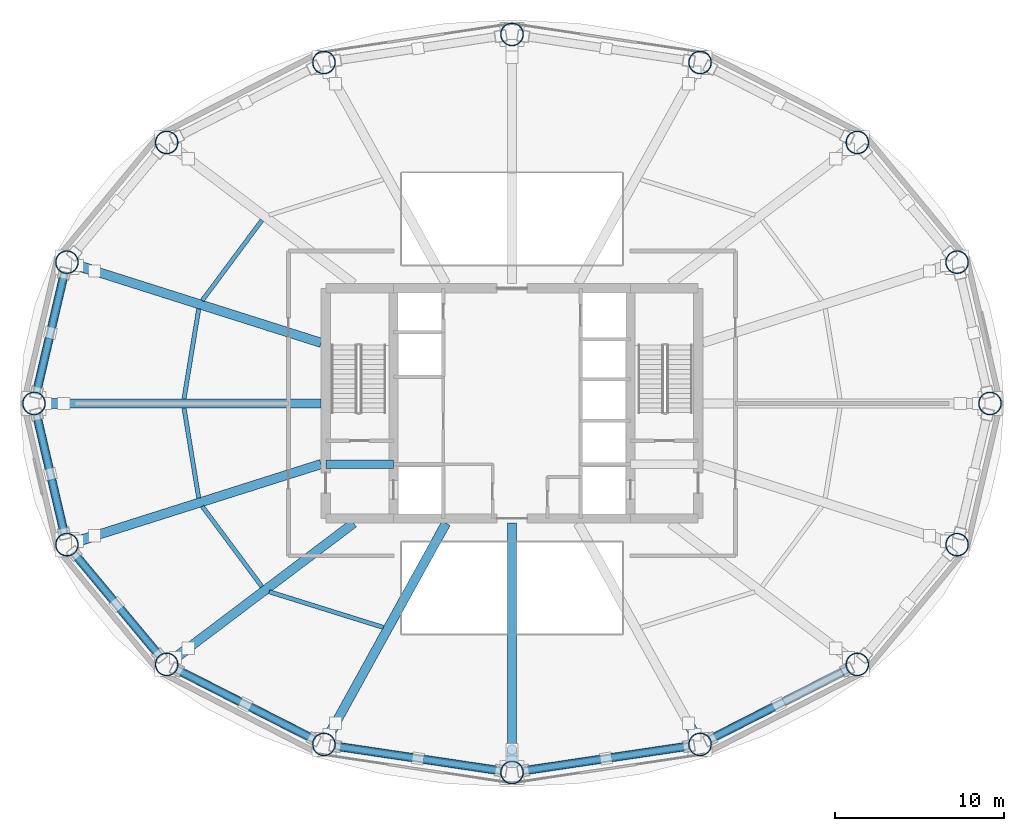
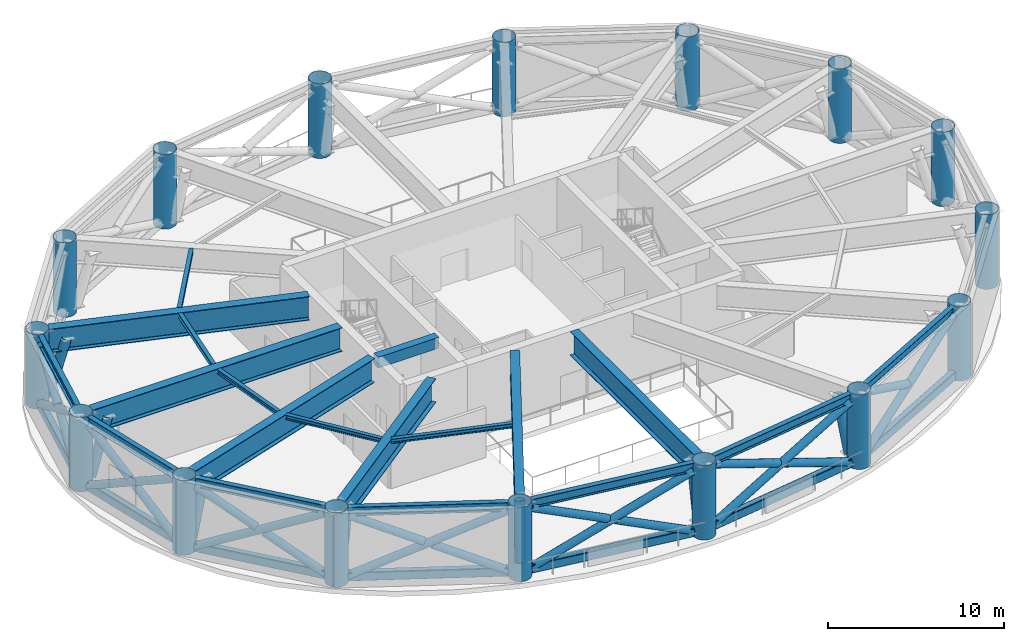
# One storey, part 1 of 8: 34 members, 19 beams, 16 columns.
"""IFC4 building model written with IfcOpenShell, lengths in metres."""

from ifc_helpers import new_model, si_unit, direction, frame, origin, origin_2d, place, context, subcontext, project, spatial, rectangle, hollow_rectangle, hollow_circle, i_section, extrude, material, material_profile, profile_set, type_object, element, save


model = new_model("IFC4")

# Units and contexts
model_context = context("Model", 3, precision=1e-05, world=origin(), true_north=direction((0.0, 1.0)))
body_context = subcontext(model_context, "Body", "Model", "MODEL_VIEW")
ifc_project = project(units=[si_unit("LENGTHUNIT", "METRE"), si_unit("AREAUNIT", "SQUARE_METRE"), si_unit("VOLUMEUNIT", "CUBIC_METRE"), si_unit("PLANEANGLEUNIT", "RADIAN"), si_unit("MASSUNIT", "GRAM", prefix="KILO")], contexts=[model_context])

# Site, building, storey
site_placement = place(None, origin())
site = spatial("IfcSite", under=ifc_project, at=site_placement, CompositionType="ELEMENT")
building_placement = place(site_placement, origin())
building = spatial("IfcBuilding", under=site, at=building_placement, Name="Sarneth Arch Tower", CompositionType="ELEMENT")
storey_placement = place(building_placement, frame((0.0, 0.0, 145.199951171875)))
storey = spatial("IfcBuildingStorey", under=building, at=storey_placement, Name="L36", CompositionType="ELEMENT", Elevation=145.199951171875)

# Columns
ifc_material_1 = material(Name="Steel S355", Category="steel")
ifc_material_profile_1 = material_profile(ifc_material_1, hollow_circle(Radius=0.675048828125, WallThickness=0.035888671875, at=origin_2d()), Name="CHS1350x36")
ifc_profile_set_1 = profile_set([ifc_material_profile_1], Name="Steel S355")
column_type = type_object("IfcColumnType", Name="COL-MEGA-1350", PredefinedType="COLUMN", material=ifc_profile_set_1)
for number, where, z_axis, x_axis, name in (
    (1, (76.236572265625, 42.0, 0.0), (0.0, 0.0, 1.0), (1.0, 0.0, 0.0), "L36 Perimeter mega-column M01"),
    (2, (74.291259765625, 50.342529296875, 0.0), (0.0, 0.0, 1.0), (1.0, 0.0, 0.0), "L36 Perimeter mega-column M02"),
    (3, (68.397705078125, 57.4150390625, 0.0), (0.0, 0.0, 1.0), (1.0, 0.0, 0.0), "L36 Perimeter mega-column M03"),
    (4, (59.1103515625, 62.140625, 0.0), (0.0, 0.0, 1.0), (1.0, 0.0, 0.0), "L36 Perimeter mega-column M04"),
    (5, (48.0, 63.800048828125, 0.0), (0.0, 0.0, 1.0), (1.0, 0.0, 0.0), "L36 Perimeter mega-column M05"),
    (6, (36.8896484375, 62.140625, 0.0), (0.0, 0.0, 1.0), (1.0, 0.0, 0.0), "L36 Perimeter mega-column M06"),
    (7, (27.602294921875, 57.4150390625, 0.0), (0.0, 0.0, 1.0), (1.0, 0.0, 0.0), "L36 Perimeter mega-column M07"),
    (8, (21.708740234375, 50.342529296875, 0.0), (0.0, 0.0, 1.0), (1.0, 0.0, 0.0), "L36 Perimeter mega-column M08"),
    (9, (19.763427734375, 42.0, 0.0), (0.0, 0.0, 1.0), (1.0, 0.0, 0.0), "L36 Perimeter mega-column M09"),
    (10, (21.708740234375, 33.657470703125, 0.0), (0.0, 0.0, 1.0), (1.0, 0.0, 0.0), "L36 Perimeter mega-column M10"),
    (11, (27.602294921875, 26.5849609375, 0.0), (0.0, 0.0, 1.0), (1.0, 0.0, 0.0), "L36 Perimeter mega-column M11"),
    (12, (36.8896484375, 21.859375, 0.0), (0.0, 0.0, 1.0), (1.0, 0.0, 0.0), "L36 Perimeter mega-column M12"),
    (13, (48.0, 20.199951171875, 0.0), (0.0, 0.0, 1.0), (1.0, 0.0, 0.0), "L36 Perimeter mega-column M13"),
    (14, (59.1103515625, 21.859375, 0.0), (0.0, 0.0, 1.0), (1.0, 0.0, 0.0), "L36 Perimeter mega-column M14"),
    (15, (68.397705078125, 26.5849609375, 0.0), (0.0, 0.0, 1.0), (1.0, 0.0, 0.0), "L36 Perimeter mega-column M15"),
    (16, (74.291259765625, 33.657470703125, 0.0), (0.0, 0.0, 1.0), (1.0, 0.0, 0.0), "L36 Perimeter mega-column M16"),
):
    element("IfcColumn", number, at=place(storey_placement, frame(where, z_axis=z_axis, x_axis=x_axis)), inside=storey, type_object=column_type, Name=name, PredefinedType="COLUMN", context=body_context, shape_type="SweptSolid", body=[
        extrude(hollow_circle(Radius=0.675048828125, WallThickness=0.035888671875, at=origin_2d()), origin(), (0.0, 0.0, 1.0), 5.150146484375),
    ])

# Beams
ifc_material_2 = material(Name="Steel S355", Category="steel")
ifc_material_profile_2 = material_profile(ifc_material_2, i_section(OverallWidth=0.25390625, OverallDepth=0.305908203125, WebThickness=0.0087890625, FlangeThickness=0.0146484375, FilletRadius=0.014892578125, at=origin_2d()), Name="W310x79")
ifc_profile_set_2 = profile_set([ifc_material_profile_2], Name="Steel S355")
beam_type_1 = type_object("IfcBeamType", Name="BM-JOIST-310A", PredefinedType="JOIST", material=ifc_profile_set_2)
beam_1_placement = place(storey_placement, frame((33.228515625, 52.82080078125, 4.9970703125), z_axis=(-0.596781909814, -0.802403484613, 0.0), x_axis=(0.802403484613, -0.596781909814, 0.0)))
element("IfcBeam", 17, at=beam_1_placement, inside=storey, type_object=beam_type_1, Name="L36 Secondary floor joist 07", PredefinedType="JOIST", context=body_context, shape_type="SweptSolid", body=[
    extrude(i_section(OverallWidth=0.25390625, OverallDepth=0.305908203125, WebThickness=0.0087890625, FlangeThickness=0.0146484375, FilletRadius=0.014892578125, at=origin_2d()), origin(), (0.0, 0.0, 1.0), 5.908203125),
])
for number, where, z_axis, x_axis, name in (
    (18, (29.494384765625, 47.588134765625, 4.9970703125), (-0.161201265752, -0.986921553073, 0.0), (0.986921553073, -0.161201265752, 0.0), "L36 Secondary floor joist 08"),
    (19, (28.6259765625, 41.728515625, 4.9970703125), (0.161201265752, -0.986921553073, 0.0), (0.986921553073, 0.161201265752, 0.0), "L36 Secondary floor joist 09"),
):
    element("IfcBeam", number, at=place(storey_placement, frame(where, z_axis=z_axis, x_axis=x_axis)), inside=storey, type_object=beam_type_1, Name=name, PredefinedType="JOIST", context=body_context, shape_type="SweptSolid", body=[
        extrude(i_section(OverallWidth=0.25390625, OverallDepth=0.305908203125, WebThickness=0.0087890625, FlangeThickness=0.0146484375, FilletRadius=0.014892578125, at=origin_2d()), origin(), (0.0, 0.0, 1.0), 5.38720703125),
    ])
beam_2_placement = place(storey_placement, frame((29.70263671875, 35.919921875, 4.9970703125), z_axis=(0.596781909814, -0.802403484613, 0.0), x_axis=(0.802403484613, 0.596781909814, 0.0)))
element("IfcBeam", 20, at=beam_2_placement, inside=storey, type_object=beam_type_1, Name="L36 Secondary floor joist 10", PredefinedType="JOIST", context=body_context, shape_type="SweptSolid", body=[
    extrude(i_section(OverallWidth=0.25390625, OverallDepth=0.305908203125, WebThickness=0.0087890625, FlangeThickness=0.0146484375, FilletRadius=0.014892578125, at=origin_2d()), origin(), (0.0, 0.0, 1.0), 5.908203125),
])
beam_3_placement = place(storey_placement, frame((33.655029296875, 30.87646484375, 4.9970703125), z_axis=(0.954477517683, -0.298282866148, 0.0), x_axis=(0.298282866148, 0.954477517683, 0.0)))
element("IfcBeam", 21, at=beam_3_placement, inside=storey, type_object=beam_type_1, Name="L36 Secondary floor joist 11", PredefinedType="JOIST", context=body_context, shape_type="SweptSolid", body=[
    extrude(i_section(OverallWidth=0.25390625, OverallDepth=0.305908203125, WebThickness=0.0087890625, FlangeThickness=0.0146484375, FilletRadius=0.014892578125, at=origin_2d()), origin(), (0.0, 0.0, 1.0), 7.062744140625),
])
ifc_material_3 = material(Name="Concrete C50/60", Category="concrete")
ifc_material_profile_3 = material_profile(ifc_material_3, rectangle(XDim=0.5, YDim=0.75, at=origin_2d()), Name="RC-500x750")
ifc_profile_set_3 = profile_set([ifc_material_profile_3], Name="Concrete C50/60")
beam_type_2 = type_object("IfcBeamType", Name="BM-LINTEL-RC", PredefinedType="LINTEL", material=ifc_profile_set_3)
beam_4_placement = place(storey_placement, frame((37.0, 38.39990234375, 4.775146484375), z_axis=(1.0, 0.0, 0.0), x_axis=(0.0, 1.0, 0.0)))
element("IfcBeam", 22, at=beam_4_placement, inside=storey, type_object=beam_type_2, Name="L36 Core coupling lintel W", PredefinedType="LINTEL", context=body_context, shape_type="SweptSolid", body=[
    extrude(rectangle(XDim=0.5, YDim=0.75, at=origin_2d()), origin(), (0.0, 0.0, 1.0), 4.0),
])
ifc_material_4 = material(Name="Steel S355", Category="steel")
ifc_material_profile_4 = material_profile(ifc_material_4, i_section(OverallWidth=0.323974609375, OverallDepth=0.611083984375, WebThickness=0.0126953125, FlangeThickness=0.01904296875, FilletRadius=0.01904296875, at=origin_2d()), Name="W610x155")
ifc_profile_set_4 = profile_set([ifc_material_profile_4], Name="Steel S355")
beam_type_3 = type_object("IfcBeamType", Name="BM-SPAN-610B", PredefinedType="SPANDREL", material=ifc_profile_set_4)
for number, where, z_axis, x_axis, name in (
    (23, (21.555419921875, 49.68505859375, 4.844482421875), (-0.22708522689, -0.973874889156, 0.0), (0.973874889156, -0.22708522689, 0.0), "L36 Perimeter spandrel beam 08"),
    (24, (19.916748046875, 41.342529296875, 4.844482421875), (0.22708522689, -0.973874889156, 0.0), (0.973874889156, 0.22708522689, 0.0), "L36 Perimeter spandrel beam 09"),
):
    element("IfcBeam", number, at=place(storey_placement, frame(where, z_axis=z_axis, x_axis=x_axis)), inside=storey, type_object=beam_type_3, Name=name, PredefinedType="SPANDREL", context=body_context, shape_type="SweptSolid", body=[
        extrude(i_section(OverallWidth=0.323974609375, OverallDepth=0.611083984375, WebThickness=0.0126953125, FlangeThickness=0.01904296875, FilletRadius=0.01904296875, at=origin_2d()), origin(), (0.0, 0.0, 1.0), 7.216064453125),
    ])
beam_5_placement = place(storey_placement, frame((22.140869140625, 33.138916015625, 4.844482421875), z_axis=(0.640169116175, -0.768234015581, 0.0), x_axis=(0.768234015581, 0.640169116175, 0.0)))
element("IfcBeam", 25, at=beam_5_placement, inside=storey, type_object=beam_type_3, Name="L36 Perimeter spandrel beam 10", PredefinedType="SPANDREL", context=body_context, shape_type="SweptSolid", body=[
    extrude(i_section(OverallWidth=0.323974609375, OverallDepth=0.611083984375, WebThickness=0.0126953125, FlangeThickness=0.01904296875, FilletRadius=0.01904296875, at=origin_2d()), origin(), (0.0, 0.0, 1.0), 7.856201171875),
])
beam_6_placement = place(storey_placement, frame((28.203857421875, 26.279052734375, 4.844482421875), z_axis=(0.891255891792, -0.453500755619, 0.0), x_axis=(0.453500755619, 0.891255891792, 0.0)))
element("IfcBeam", 26, at=beam_6_placement, inside=storey, type_object=beam_type_3, Name="L36 Perimeter spandrel beam 11", PredefinedType="SPANDREL", context=body_context, shape_type="SweptSolid", body=[
    extrude(i_section(OverallWidth=0.323974609375, OverallDepth=0.611083984375, WebThickness=0.0126953125, FlangeThickness=0.01904296875, FilletRadius=0.01904296875, at=origin_2d()), origin(), (0.0, 0.0, 1.0), 9.070556640625),
])
for number, where, z_axis, x_axis, name in (
    (27, (37.557373046875, 21.759765625, 4.844482421875), (0.989029828744, -0.147715936359, 0.0), (0.147715936359, 0.989029828744, 0.0), "L36 Perimeter spandrel beam 12"),
    (28, (48.66748046875, 20.2998046875, 4.844482421875), (0.989029828744, 0.147715936359, 0.0), (-0.147715936359, 0.989029828744, 0.0), "L36 Perimeter spandrel beam 13"),
):
    element("IfcBeam", number, at=place(storey_placement, frame(where, z_axis=z_axis, x_axis=x_axis)), inside=storey, type_object=beam_type_3, Name=name, PredefinedType="SPANDREL", context=body_context, shape_type="SweptSolid", body=[
        extrude(i_section(OverallWidth=0.323974609375, OverallDepth=0.611083984375, WebThickness=0.0126953125, FlangeThickness=0.01904296875, FilletRadius=0.01904296875, at=origin_2d()), origin(), (0.0, 0.0, 1.0), 9.883544921875),
    ])
beam_7_placement = place(storey_placement, frame((59.7119140625, 22.16552734375, 4.844482421875), z_axis=(0.891255891792, 0.453500755619, 0.0), x_axis=(-0.453500755619, 0.891255891792, 0.0)))
element("IfcBeam", 29, at=beam_7_placement, inside=storey, type_object=beam_type_3, Name="L36 Perimeter spandrel beam 14", PredefinedType="SPANDREL", context=body_context, shape_type="SweptSolid", body=[
    extrude(i_section(OverallWidth=0.323974609375, OverallDepth=0.611083984375, WebThickness=0.0126953125, FlangeThickness=0.01904296875, FilletRadius=0.01904296875, at=origin_2d()), origin(), (0.0, 0.0, 1.0), 9.070556640625),
])
ifc_material_5 = material(Name="Steel S355", Category="steel")
ifc_material_profile_5 = material_profile(ifc_material_5, i_section(OverallWidth=0.550048828125, OverallDepth=1.64990234375, WebThickness=0.02197265625, FlangeThickness=0.0380859375, FilletRadius=0.02392578125, at=origin_2d()), Name="CVS1650x680")
ifc_profile_set_5 = profile_set([ifc_material_profile_5], Name="Steel S355")
beam_type_4 = type_object("IfcBeamType", Name="BM-XFER-1650", PredefinedType="BEAM", material=ifc_profile_set_5)
beam_8_placement = place(storey_placement, frame((36.72509765625, 45.580322265625, 4.324951171875), z_axis=(-0.953213910786, 0.30229660978, 0.0), x_axis=(-0.30229660978, -0.953213910786, 0.0)))
element("IfcBeam", 30, at=beam_8_placement, inside=storey, type_object=beam_type_4, Name="L36 Step-taper transfer girder 08", PredefinedType="BEAM", context=body_context, shape_type="SweptSolid", body=[
    extrude(i_section(OverallWidth=0.550048828125, OverallDepth=1.64990234375, WebThickness=0.02197265625, FlangeThickness=0.0380859375, FilletRadius=0.02392578125, at=origin_2d()), origin(), (0.0, 0.0, 1.0), 15.078369140625),
])
beam_9_placement = place(storey_placement, frame((36.72509765625, 42.0, 4.324951171875), z_axis=(-1.0, 0.0, 0.0), x_axis=(0.0, -1.0, 0.0)))
element("IfcBeam", 31, at=beam_9_placement, inside=storey, type_object=beam_type_4, Name="L36 Step-taper transfer girder 09", PredefinedType="BEAM", context=body_context, shape_type="SweptSolid", body=[
    extrude(i_section(OverallWidth=0.550048828125, OverallDepth=1.64990234375, WebThickness=0.02197265625, FlangeThickness=0.0380859375, FilletRadius=0.02392578125, at=origin_2d()), origin(), (0.0, 0.0, 1.0), 16.28662109375),
])
beam_10_placement = place(storey_placement, frame((36.72509765625, 38.419677734375, 4.324951171875), z_axis=(-0.953213910786, -0.30229660978, 0.0), x_axis=(0.30229660978, -0.953213910786, 0.0)))
element("IfcBeam", 32, at=beam_10_placement, inside=storey, type_object=beam_type_4, Name="L36 Step-taper transfer girder 10", PredefinedType="BEAM", context=body_context, shape_type="SweptSolid", body=[
    extrude(i_section(OverallWidth=0.550048828125, OverallDepth=1.64990234375, WebThickness=0.02197265625, FlangeThickness=0.0380859375, FilletRadius=0.02392578125, at=origin_2d()), origin(), (0.0, 0.0, 1.0), 15.078369140625),
])
beam_11_placement = place(storey_placement, frame((38.644287109375, 34.925048828125, 4.324951171875), z_axis=(-0.797970005378, -0.60269716319, 0.0), x_axis=(0.60269716319, -0.797970005378, 0.0)))
element("IfcBeam", 33, at=beam_11_placement, inside=storey, type_object=beam_type_4, Name="L36 Step-taper transfer girder 11", PredefinedType="BEAM", context=body_context, shape_type="SweptSolid", body=[
    extrude(i_section(OverallWidth=0.550048828125, OverallDepth=1.64990234375, WebThickness=0.02197265625, FlangeThickness=0.0380859375, FilletRadius=0.02392578125, at=origin_2d()), origin(), (0.0, 0.0, 1.0), 13.16259765625),
])
beam_12_placement = place(storey_placement, frame((44.101318359375, 34.925048828125, 4.324951171875), z_axis=(-0.483236322363, -0.875489952397, 0.0), x_axis=(0.875489952397, -0.483236322363, 0.0)))
element("IfcBeam", 34, at=beam_12_placement, inside=storey, type_object=beam_type_4, Name="L36 Step-taper transfer girder 12", PredefinedType="BEAM", context=body_context, shape_type="SweptSolid", body=[
    extrude(i_section(OverallWidth=0.550048828125, OverallDepth=1.64990234375, WebThickness=0.02197265625, FlangeThickness=0.0380859375, FilletRadius=0.02392578125, at=origin_2d()), origin(), (0.0, 0.0, 1.0), 14.248779296875),
])
beam_13_placement = place(storey_placement, frame((48.0, 34.925048828125, 4.324951171875), z_axis=(0.0, -1.0, 0.0), x_axis=(1.0, 0.0, 0.0)))
element("IfcBeam", 35, at=beam_13_placement, inside=storey, type_object=beam_type_4, Name="L36 Step-taper transfer girder 13", PredefinedType="BEAM", context=body_context, shape_type="SweptSolid", body=[
    extrude(i_section(OverallWidth=0.550048828125, OverallDepth=1.64990234375, WebThickness=0.02197265625, FlangeThickness=0.0380859375, FilletRadius=0.02392578125, at=origin_2d()), origin(), (0.0, 0.0, 1.0), 14.050048828125),
])

# Members
ifc_material_6 = material(Name="Steel S355", Category="steel")
ifc_material_profile_6 = material_profile(ifc_material_6, hollow_rectangle(XDim=0.39990234375, YDim=0.60009765625, WallThickness=0.02197265625, InnerFilletRadius=0.032958984375, OuterFilletRadius=0.054931640625, at=origin_2d()), Name="RHS600x400x22")
ifc_profile_set_6 = profile_set([ifc_material_profile_6], Name="Steel S355")
member_type_1 = type_object("IfcMemberType", Name="MEM-BELT-CHORD", PredefinedType="CHORD", material=ifc_profile_set_6)
for number, where, z_axis, x_axis, name in (
    (36, (21.555419921875, 49.68505859375, 0.35009765625), (-0.22708522689, -0.973874889156, 0.0), (0.973874889156, -0.22708522689, 0.0), "L36 Ring belt bottom chord 08"),
    (37, (19.916748046875, 41.342529296875, 0.35009765625), (0.22708522689, -0.973874889156, 0.0), (0.973874889156, 0.22708522689, 0.0), "L36 Ring belt bottom chord 09"),
):
    element("IfcMember", number, at=place(storey_placement, frame(where, z_axis=z_axis, x_axis=x_axis)), inside=storey, type_object=member_type_1, Name=name, PredefinedType="CHORD", context=body_context, shape_type="SweptSolid", body=[
        extrude(hollow_rectangle(XDim=0.39990234375, YDim=0.60009765625, WallThickness=0.02197265625, InnerFilletRadius=0.032958984375, OuterFilletRadius=0.054931640625, at=origin_2d()), origin(), (0.0, 0.0, 1.0), 7.216064453125),
    ])
member_1_placement = place(storey_placement, frame((22.140869140625, 33.138916015625, 0.35009765625), z_axis=(0.640169116175, -0.768234015581, 0.0), x_axis=(0.768234015581, 0.640169116175, 0.0)))
element("IfcMember", 38, at=member_1_placement, inside=storey, type_object=member_type_1, Name="L36 Ring belt bottom chord 10", PredefinedType="CHORD", context=body_context, shape_type="SweptSolid", body=[
    extrude(hollow_rectangle(XDim=0.39990234375, YDim=0.60009765625, WallThickness=0.02197265625, InnerFilletRadius=0.032958984375, OuterFilletRadius=0.054931640625, at=origin_2d()), origin(), (0.0, 0.0, 1.0), 7.856201171875),
])
member_2_placement = place(storey_placement, frame((28.203857421875, 26.279052734375, 0.35009765625), z_axis=(0.891255891792, -0.453500755619, 0.0), x_axis=(0.453500755619, 0.891255891792, 0.0)))
element("IfcMember", 39, at=member_2_placement, inside=storey, type_object=member_type_1, Name="L36 Ring belt bottom chord 11", PredefinedType="CHORD", context=body_context, shape_type="SweptSolid", body=[
    extrude(hollow_rectangle(XDim=0.39990234375, YDim=0.60009765625, WallThickness=0.02197265625, InnerFilletRadius=0.032958984375, OuterFilletRadius=0.054931640625, at=origin_2d()), origin(), (0.0, 0.0, 1.0), 9.070556640625),
])
for number, where, z_axis, x_axis, name in (
    (40, (37.557373046875, 21.759765625, 0.35009765625), (0.989029828744, -0.147715936359, 0.0), (0.147715936359, 0.989029828744, 0.0), "L36 Ring belt bottom chord 12"),
    (41, (48.66748046875, 20.2998046875, 0.35009765625), (0.989029828744, 0.147715936359, 0.0), (-0.147715936359, 0.989029828744, 0.0), "L36 Ring belt bottom chord 13"),
):
    element("IfcMember", number, at=place(storey_placement, frame(where, z_axis=z_axis, x_axis=x_axis)), inside=storey, type_object=member_type_1, Name=name, PredefinedType="CHORD", context=body_context, shape_type="SweptSolid", body=[
        extrude(hollow_rectangle(XDim=0.39990234375, YDim=0.60009765625, WallThickness=0.02197265625, InnerFilletRadius=0.032958984375, OuterFilletRadius=0.054931640625, at=origin_2d()), origin(), (0.0, 0.0, 1.0), 9.883544921875),
    ])
member_3_placement = place(storey_placement, frame((59.7119140625, 22.16552734375, 0.35009765625), z_axis=(0.891255891792, 0.453500755619, 0.0), x_axis=(-0.453500755619, 0.891255891792, 0.0)))
element("IfcMember", 42, at=member_3_placement, inside=storey, type_object=member_type_1, Name="L36 Ring belt bottom chord 14", PredefinedType="CHORD", context=body_context, shape_type="SweptSolid", body=[
    extrude(hollow_rectangle(XDim=0.39990234375, YDim=0.60009765625, WallThickness=0.02197265625, InnerFilletRadius=0.032958984375, OuterFilletRadius=0.054931640625, at=origin_2d()), origin(), (0.0, 0.0, 1.0), 9.070556640625),
])
ifc_material_7 = material(Name="Steel S355", Category="steel")
ifc_material_profile_7 = material_profile(ifc_material_7, hollow_circle(Radius=0.304931640625, WallThickness=0.02001953125, at=origin_2d()), Name="CHS610x20")
ifc_profile_set_7 = profile_set([ifc_material_profile_7], Name="Steel S355")
member_type_2 = type_object("IfcMemberType", Name="MEM-BELT-DIAG1", PredefinedType="BRACE", material=ifc_profile_set_7)
member_4_placement = place(storey_placement, frame((22.333251953125, 50.14453125, 0.449951171875), z_axis=(0.255230227576, -0.080941785416, 0.963486356055), x_axis=(0.302295197577, 0.953214358642, 0.0)))
element("IfcMember", 43, at=member_4_placement, inside=storey, type_object=member_type_2, Name="L36 Step-taper inclined transfer strut 08", PredefinedType="BRACE", context=body_context, shape_type="SweptSolid", body=[
    extrude(hollow_circle(Radius=0.304931640625, WallThickness=0.02001953125, at=origin_2d()), origin(), (0.0, 0.0, 1.0), 3.936279296875),
])
member_5_placement = place(storey_placement, frame((20.41845703125, 42.0, 0.449951171875), z_axis=(0.277277044453, 0.0, 0.960790008597), x_axis=(0.0, 1.0, 0.0)))
element("IfcMember", 44, at=member_5_placement, inside=storey, type_object=member_type_2, Name="L36 Step-taper inclined transfer strut 09", PredefinedType="BRACE", context=body_context, shape_type="SweptSolid", body=[
    extrude(hollow_circle(Radius=0.304931640625, WallThickness=0.02001953125, at=origin_2d()), origin(), (0.0, 0.0, 1.0), 3.947265625),
])
member_6_placement = place(storey_placement, frame((22.333251953125, 33.85546875, 0.449951171875), z_axis=(0.255230227576, 0.080941785416, 0.963486356055), x_axis=(-0.302295197577, 0.953214358642, 0.0)))
element("IfcMember", 45, at=member_6_placement, inside=storey, type_object=member_type_2, Name="L36 Step-taper inclined transfer strut 10", PredefinedType="BRACE", context=body_context, shape_type="SweptSolid", body=[
    extrude(hollow_circle(Radius=0.304931640625, WallThickness=0.02001953125, at=origin_2d()), origin(), (0.0, 0.0, 1.0), 3.936279296875),
])
member_7_placement = place(storey_placement, frame((28.125, 26.979736328125, 0.449951171875), z_axis=(0.189831474095, 0.143374034948, 0.971291870421), x_axis=(-0.602688067881, 0.797976874874, 0.0)))
element("IfcMember", 46, at=member_7_placement, inside=storey, type_object=member_type_2, Name="L36 Step-taper inclined transfer strut 11", PredefinedType="BRACE", context=body_context, shape_type="SweptSolid", body=[
    extrude(hollow_circle(Radius=0.304931640625, WallThickness=0.02001953125, at=origin_2d()), origin(), (0.0, 0.0, 1.0), 3.904541015625),
])
member_8_placement = place(storey_placement, frame((37.206298828125, 22.432861328125, 0.449951171875), z_axis=(0.096084544586, 0.174125635626, 0.980024501382), x_axis=(-0.875545294298, 0.483136044643, 0.0)))
element("IfcMember", 47, at=member_8_placement, inside=storey, type_object=member_type_2, Name="L36 Step-taper inclined transfer strut 12", PredefinedType="BRACE", context=body_context, shape_type="SweptSolid", body=[
    extrude(hollow_circle(Radius=0.304931640625, WallThickness=0.02001953125, at=origin_2d()), origin(), (0.0, 0.0, 1.0), 3.869873046875),
])
member_9_placement = place(storey_placement, frame((48.0, 20.85498046875, 0.449951171875), z_axis=(0.0, 0.180272733501, 0.983616663928), x_axis=(-1.0, 0.0, 0.0)))
element("IfcMember", 48, at=member_9_placement, inside=storey, type_object=member_type_2, Name="L36 Step-taper inclined transfer strut 13", PredefinedType="BRACE", context=body_context, shape_type="SweptSolid", body=[
    extrude(hollow_circle(Radius=0.304931640625, WallThickness=0.02001953125, at=origin_2d()), origin(), (0.0, 0.0, 1.0), 3.855712890625),
])
member_10_placement = place(storey_placement, frame((58.793701171875, 22.432861328125, 0.449951171875), z_axis=(-0.096084544586, 0.174125635626, 0.980024501382), x_axis=(-0.875545294298, -0.483136044643, 0.0)))
element("IfcMember", 49, at=member_10_placement, inside=storey, type_object=member_type_2, Name="L36 Step-taper inclined transfer strut 14", PredefinedType="BRACE", context=body_context, shape_type="SweptSolid", body=[
    extrude(hollow_circle(Radius=0.304931640625, WallThickness=0.02001953125, at=origin_2d()), origin(), (0.0, 0.0, 1.0), 3.869873046875),
])
ifc_material_8 = material(Name="Steel S355", Category="steel")
ifc_material_profile_8 = material_profile(ifc_material_8, hollow_circle(Radius=0.25390625, WallThickness=0.01611328125, at=origin_2d()), Name="CHS508x16")
ifc_profile_set_8 = profile_set([ifc_material_profile_8], Name="Steel S355")
member_type_3 = type_object("IfcMemberType", Name="MEM-BELT-DIAG2", PredefinedType="BRACE", material=ifc_profile_set_8)
member_11_placement = place(storey_placement, frame((21.555419921875, 49.68505859375, 0.35009765625), z_axis=(-0.196629444364, -0.843262597738, 0.500244992843), x_axis=(0.973874889156, -0.22708522689, 0.0)))
element("IfcMember", 50, at=member_11_placement, inside=storey, type_object=member_type_3, Name="L36 Ring belt continuous diagonal A08", PredefinedType="BRACE", context=body_context, shape_type="SweptSolid", body=[
    extrude(hollow_circle(Radius=0.25390625, WallThickness=0.01611328125, at=origin_2d()), origin(), (0.0, 0.0, 1.0), 8.333740234375),
])
for number, where, z_axis, x_axis, name in (
    (51, (19.916748046875, 42.657470703125, 0.35009765625), (0.196648781905, 0.843252415337, 0.500254555806), (-0.973869343479, 0.227109008698, 0.0), "L36 Ring belt split diagonal B1-08"),
    (52, (20.78515625, 46.382080078125, 2.5595703125), (0.196648781905, 0.843252415337, 0.500254555806), (-0.973869343479, 0.227109008698, 0.0), "L36 Ring belt split diagonal B2-08"),
):
    element("IfcMember", number, at=place(storey_placement, frame(where, z_axis=z_axis, x_axis=x_axis)), inside=storey, type_object=member_type_3, Name=name, PredefinedType="BRACE", context=body_context, shape_type="SweptSolid", body=[
        extrude(hollow_circle(Radius=0.25390625, WallThickness=0.01611328125, at=origin_2d()), origin(), (0.0, 0.0, 1.0), 3.9169921875),
    ])
member_12_placement = place(storey_placement, frame((19.916748046875, 41.342529296875, 0.35009765625), z_axis=(0.196629444364, -0.843262597738, 0.500244992843), x_axis=(0.973874889156, 0.22708522689, 0.0)))
element("IfcMember", 53, at=member_12_placement, inside=storey, type_object=member_type_3, Name="L36 Ring belt continuous diagonal A09", PredefinedType="BRACE", context=body_context, shape_type="SweptSolid", body=[
    extrude(hollow_circle(Radius=0.25390625, WallThickness=0.01611328125, at=origin_2d()), origin(), (0.0, 0.0, 1.0), 8.333740234375),
])
for number, where, z_axis, x_axis, name in (
    (54, (21.555419921875, 34.31494140625, 0.35009765625), (-0.196648781905, 0.843252415337, 0.500254555806), (-0.973869343479, -0.227109008698, 0.0), "L36 Ring belt split diagonal B1-09"),
    (55, (20.68701171875, 38.03955078125, 2.5595703125), (-0.196648781905, 0.843252415337, 0.500254555806), (-0.973869343479, -0.227109008698, 0.0), "L36 Ring belt split diagonal B2-09"),
):
    element("IfcMember", number, at=place(storey_placement, frame(where, z_axis=z_axis, x_axis=x_axis)), inside=storey, type_object=member_type_3, Name=name, PredefinedType="BRACE", context=body_context, shape_type="SweptSolid", body=[
        extrude(hollow_circle(Radius=0.25390625, WallThickness=0.01611328125, at=origin_2d()), origin(), (0.0, 0.0, 1.0), 3.9169921875),
    ])
member_13_placement = place(storey_placement, frame((22.140869140625, 33.138916015625, 0.35009765625), z_axis=(0.56548235533, -0.678606276995, 0.468746441729), x_axis=(0.768234015581, 0.640169116175, 0.0)))
element("IfcMember", 56, at=member_13_placement, inside=storey, type_object=member_type_3, Name="L36 Ring belt continuous diagonal A10", PredefinedType="BRACE", context=body_context, shape_type="SweptSolid", body=[
    extrude(hollow_circle(Radius=0.25390625, WallThickness=0.01611328125, at=origin_2d()), origin(), (0.0, 0.0, 1.0), 8.893798828125),
])
member_14_placement = place(storey_placement, frame((27.170166015625, 27.103515625, 0.35009765625), z_axis=(-0.565475776654, 0.678617468414, 0.468738175937), x_axis=(-0.768242870358, -0.640158489864, 0.0)))
element("IfcMember", 57, at=member_14_placement, inside=storey, type_object=member_type_3, Name="L36 Ring belt split diagonal B1-10", PredefinedType="BRACE", context=body_context, shape_type="SweptSolid", body=[
    extrude(hollow_circle(Radius=0.25390625, WallThickness=0.01611328125, at=origin_2d()), origin(), (0.0, 0.0, 1.0), 4.197021484375),
])
member_15_placement = place(storey_placement, frame((24.51416015625, 30.291015625, 2.5517578125), z_axis=(-0.565498099482, 0.678586084812, 0.468756679933), x_axis=(-0.768215881498, -0.640190877329, 0.0)))
element("IfcMember", 58, at=member_15_placement, inside=storey, type_object=member_type_3, Name="L36 Ring belt split diagonal B2-10", PredefinedType="BRACE", context=body_context, shape_type="SweptSolid", body=[
    extrude(hollow_circle(Radius=0.25390625, WallThickness=0.01611328125, at=origin_2d()), origin(), (0.0, 0.0, 1.0), 4.19677734375),
])
member_16_placement = place(storey_placement, frame((28.203857421875, 26.279052734375, 0.35009765625), z_axis=(0.809817152588, -0.412062005978, 0.417613556537), x_axis=(0.453500755619, 0.891255891792, 0.0)))
element("IfcMember", 59, at=member_16_placement, inside=storey, type_object=member_type_3, Name="L36 Ring belt continuous diagonal A11", PredefinedType="BRACE", context=body_context, shape_type="SweptSolid", body=[
    extrude(hollow_circle(Radius=0.25390625, WallThickness=0.01611328125, at=origin_2d()), origin(), (0.0, 0.0, 1.0), 9.982666015625),
])
member_17_placement = place(storey_placement, frame((36.2880859375, 22.16552734375, 0.35009765625), z_axis=(-0.809828529359, 0.412046028609, 0.417607259687), x_axis=(-0.453481727105, -0.891265573879, 0.0)))
element("IfcMember", 60, at=member_17_placement, inside=storey, type_object=member_type_3, Name="L36 Ring belt split diagonal B1-11", PredefinedType="BRACE", context=body_context, shape_type="SweptSolid", body=[
    extrude(hollow_circle(Radius=0.25390625, WallThickness=0.01611328125, at=origin_2d()), origin(), (0.0, 0.0, 1.0), 4.7412109375),
])
member_18_placement = place(storey_placement, frame((32.043701171875, 24.3251953125, 2.5390625), z_axis=(-0.809829068999, 0.412071594557, 0.417580986113), x_axis=(-0.453503837285, -0.89125432373, 0.0)))
element("IfcMember", 61, at=member_18_placement, inside=storey, type_object=member_type_3, Name="L36 Ring belt split diagonal B2-11", PredefinedType="BRACE", context=body_context, shape_type="SweptSolid", body=[
    extrude(hollow_circle(Radius=0.25390625, WallThickness=0.01611328125, at=origin_2d()), origin(), (0.0, 0.0, 1.0), 4.741455078125),
])
member_19_placement = place(storey_placement, frame((37.557373046875, 21.759765625, 0.35009765625), z_axis=(0.91127929484, -0.136103553614, 0.388646200921), x_axis=(0.147715936359, 0.989029828744, 0.0)))
element("IfcMember", 62, at=member_19_placement, inside=storey, type_object=member_type_3, Name="L36 Ring belt continuous diagonal A12", PredefinedType="BRACE", context=body_context, shape_type="SweptSolid", body=[
    extrude(hollow_circle(Radius=0.25390625, WallThickness=0.01611328125, at=origin_2d()), origin(), (0.0, 0.0, 1.0), 10.726806640625),
])
member_20_placement = place(storey_placement, frame((47.33251953125, 20.2998046875, 0.35009765625), z_axis=(-0.911288731518, 0.136070251209, 0.388635735032), x_axis=(-0.147679085035, -0.989035331949, 0.0)))
element("IfcMember", 63, at=member_20_placement, inside=storey, type_object=member_type_3, Name="L36 Ring belt split diagonal B1-12", PredefinedType="BRACE", context=body_context, shape_type="SweptSolid", body=[
    extrude(hollow_circle(Radius=0.25390625, WallThickness=0.01611328125, at=origin_2d()), origin(), (0.0, 0.0, 1.0), 5.113525390625),
])
member_21_placement = place(storey_placement, frame((42.217041015625, 21.063720703125, 2.53173828125), z_axis=(-0.911274714208, 0.136123033124, 0.388650119127), x_axis=(-0.147737342868, -0.989026631351, 0.0)))
element("IfcMember", 64, at=member_21_placement, inside=storey, type_object=member_type_3, Name="L36 Ring belt split diagonal B2-12", PredefinedType="BRACE", context=body_context, shape_type="SweptSolid", body=[
    extrude(hollow_circle(Radius=0.25390625, WallThickness=0.01611328125, at=origin_2d()), origin(), (0.0, 0.0, 1.0), 5.11328125),
])
member_22_placement = place(storey_placement, frame((48.66748046875, 20.2998046875, 0.35009765625), z_axis=(0.91127929484, 0.136103553614, 0.388646200921), x_axis=(-0.147715936359, 0.989029828744, 0.0)))
element("IfcMember", 65, at=member_22_placement, inside=storey, type_object=member_type_3, Name="L36 Ring belt continuous diagonal A13", PredefinedType="BRACE", context=body_context, shape_type="SweptSolid", body=[
    extrude(hollow_circle(Radius=0.25390625, WallThickness=0.01611328125, at=origin_2d()), origin(), (0.0, 0.0, 1.0), 10.726806640625),
])
member_23_placement = place(storey_placement, frame((58.442626953125, 21.759765625, 0.35009765625), z_axis=(-0.911274714208, -0.136123033124, 0.388650119127), x_axis=(0.147737342868, -0.989026631351, 0.0)))
element("IfcMember", 66, at=member_23_placement, inside=storey, type_object=member_type_3, Name="L36 Ring belt split diagonal B1-13", PredefinedType="BRACE", context=body_context, shape_type="SweptSolid", body=[
    extrude(hollow_circle(Radius=0.25390625, WallThickness=0.01611328125, at=origin_2d()), origin(), (0.0, 0.0, 1.0), 5.11328125),
])
member_24_placement = place(storey_placement, frame((53.327392578125, 20.99560546875, 2.53173828125), z_axis=(-0.911288731518, -0.136070251209, 0.388635735032), x_axis=(0.147679085035, -0.989035331949, 0.0)))
element("IfcMember", 67, at=member_24_placement, inside=storey, type_object=member_type_3, Name="L36 Ring belt split diagonal B2-13", PredefinedType="BRACE", context=body_context, shape_type="SweptSolid", body=[
    extrude(hollow_circle(Radius=0.25390625, WallThickness=0.01611328125, at=origin_2d()), origin(), (0.0, 0.0, 1.0), 5.113525390625),
])
member_25_placement = place(storey_placement, frame((59.7119140625, 22.16552734375, 0.35009765625), z_axis=(0.809817152588, 0.412062005978, 0.417613556537), x_axis=(-0.453500755619, 0.891255891792, 0.0)))
element("IfcMember", 68, at=member_25_placement, inside=storey, type_object=member_type_3, Name="L36 Ring belt continuous diagonal A14", PredefinedType="BRACE", context=body_context, shape_type="SweptSolid", body=[
    extrude(hollow_circle(Radius=0.25390625, WallThickness=0.01611328125, at=origin_2d()), origin(), (0.0, 0.0, 1.0), 9.982666015625),
])
member_26_placement = place(storey_placement, frame((63.551513671875, 24.119140625, 2.5390625), z_axis=(-0.809828529359, -0.412046028609, 0.417607259687), x_axis=(0.453481727105, -0.891265573879, 0.0)))
element("IfcMember", 69, at=member_26_placement, inside=storey, type_object=member_type_3, Name="L36 Ring belt split diagonal B2-14", PredefinedType="BRACE", context=body_context, shape_type="SweptSolid", body=[
    extrude(hollow_circle(Radius=0.25390625, WallThickness=0.01611328125, at=origin_2d()), origin(), (0.0, 0.0, 1.0), 4.7412109375),
])

save(model, "model.ifc")
